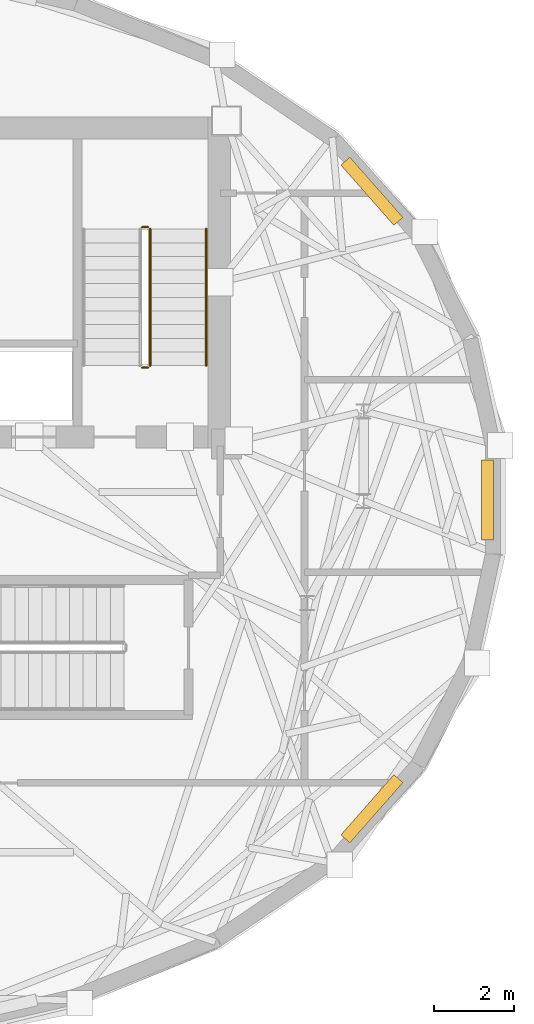
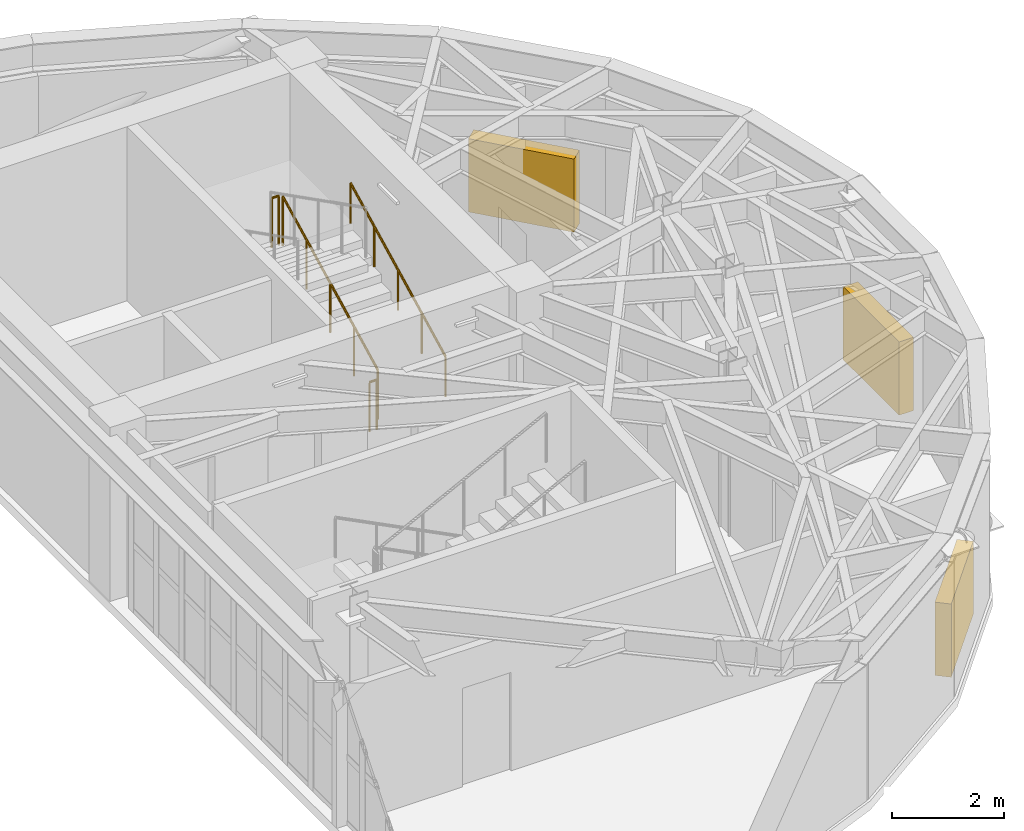
# One storey, part 13 of 13: 4 railings, 3 shading devices.
"""IFC4 building model written with IfcOpenShell, lengths in metres."""

from ifc_helpers import new_model, si_unit, direction, frame, origin, origin_2d, place, context, subcontext, project, spatial, rectangle, circle, extrude, material, type_object, element, save


model = new_model("IFC4")

# Units and contexts
model_context = context("Model", 3, precision=1e-05, world=origin(), true_north=direction((0.0, 1.0)))
body_context = subcontext(model_context, "Body", "Model", "MODEL_VIEW")
ifc_project = project(units=[si_unit("LENGTHUNIT", "METRE"), si_unit("AREAUNIT", "SQUARE_METRE"), si_unit("VOLUMEUNIT", "CUBIC_METRE"), si_unit("PLANEANGLEUNIT", "RADIAN"), si_unit("MASSUNIT", "GRAM", prefix="KILO")], contexts=[model_context])

# Site, building, storey
site_placement = place(None, origin())
site = spatial("IfcSite", under=ifc_project, at=site_placement, CompositionType="ELEMENT")
building_placement = place(site_placement, origin())
building = spatial("IfcBuilding", under=site, at=building_placement, Name="Keldmark Tower", CompositionType="ELEMENT")
storey_placement = place(building_placement, frame((0.0, 0.0, 276.800048828125)))
storey = spatial("IfcBuildingStorey", under=building, at=storey_placement, Name="L78", CompositionType="ELEMENT", Elevation=276.800048828125)

# Shading devices
ifc_material_1 = material(Name="Fluoropolymer-Coated Extruded Aluminum Stormproof Blades", Category="aluminium")
shading_device_type = type_object("IfcShadingDeviceType", Name="Mechanical Floor Acoustic Intake Louvre", PredefinedType="JALOUSIE", material=ifc_material_1)
for number, where, z_axis, x_axis, name in (
    (1, (17.22900390625, 7.69580078125, 0.0), (0.0, 0.0, 1.0), (-0.660958310395, 0.750422622206, 0.0), "L78 Crown Screen Acoustic Louvre E04"),
    (2, (20.10888671875, 0.0, 0.0), (0.0, 0.0, 1.0), (0.0, 1.0, 0.0), "L78 Crown Screen Acoustic Louvre E07"),
    (3, (17.22900390625, -7.69580078125, 0.0), (0.0, 0.0, 1.0), (0.660958310395, 0.750422622206, 0.0), "L78 Crown Screen Acoustic Louvre E10"),
):
    element("IfcShadingDevice", number, at=place(storey_placement, frame(where, z_axis=z_axis, x_axis=x_axis)), inside=storey, type_object=shading_device_type, Name=name, PredefinedType="JALOUSIE", context=body_context, shape_type="SweptSolid", body=[
        extrude(rectangle(XDim=2.0, YDim=0.300048828125, at=origin_2d()), origin(), (0.0, 0.0, 1.0), 1.60009765625),
    ])

# Railings
ifc_material_2 = material(Name="Painted Steel ASTM A500 Grade B", Category="steel")
railing_type_1 = type_object("IfcRailingType", Name="Painted Steel Stair Well Guard 1100 mm", PredefinedType="GUARDRAIL", material=ifc_material_2)
railing_1_placement = place(storey_placement, frame((11.699951171875, 3.35009765625, 0.172607421875)))
element("IfcRailing", 4, at=railing_1_placement, inside=storey, type_object=railing_type_1, Name="L78 ST2 stair guard 1", PredefinedType="GUARDRAIL", context=body_context, shape_type="SweptSolid", body=[
    extrude(circle(Radius=0.02392578125, at=origin_2d()), frame((0.0, 0.0, 1.076171875), z_axis=(0.0, 0.89154070688, 0.452940578858), x_axis=(-1.0, 0.0, 0.0)), (0.0, 0.0, 1.0), 3.8134765625),
    extrude(circle(Radius=0.02099609375, at=origin_2d()), origin(), (0.0, 0.0, 1.0), 1.052001953125),
    extrude(circle(Radius=0.02099609375, at=origin_2d()), frame((0.0, 0.85009765625, 0.431884765625)), (0.0, 0.0, 1.0), 1.052001953125),
    extrude(circle(Radius=0.02099609375, at=origin_2d()), frame((0.0, 1.699951171875, 0.86376953125)), (0.0, 0.0, 1.0), 1.052001953125),
    extrude(circle(Radius=0.02099609375, at=origin_2d()), frame((0.0, 2.5498046875, 1.29541015625)), (0.0, 0.0, 1.0), 1.052001953125),
    extrude(circle(Radius=0.02099609375, at=origin_2d()), frame((0.0, 3.39990234375, 1.727294921875)), (0.0, 0.0, 1.0), 1.052001953125),
])
for number, where, name in (
    (5, (11.64990234375, 6.800048828125, 1.89990234375), "L78 ST2 stair guard 2"),
    (6, (11.64990234375, 3.300048828125, 0.0), "L78 ST2 stair guard 4"),
):
    element("IfcRailing", number, at=place(storey_placement, frame(where)), inside=storey, type_object=railing_type_1, Name=name, PredefinedType="GUARDRAIL", context=body_context, shape_type="SweptSolid", body=[
        extrude(circle(Radius=0.02392578125, at=origin_2d()), frame((0.0, 0.0, 1.076171875), z_axis=(-1.0, 0.0, 0.0), x_axis=(0.0, -1.0, 0.0)), (0.0, 0.0, 1.0), 0.14990234375),
        extrude(circle(Radius=0.02099609375, at=origin_2d()), origin(), (0.0, 0.0, 1.0), 1.052001953125),
        extrude(circle(Radius=0.02099609375, at=origin_2d()), frame((-0.14990234375, 0.0, 0.0)), (0.0, 0.0, 1.0), 1.052001953125),
    ])
ifc_material_3 = material(Name="Stainless Steel AISI 316L", Category="steel")
railing_type_2 = type_object("IfcRailingType", Name="Stainless Steel Stair Handrail 900 mm", PredefinedType="HANDRAIL", material=ifc_material_3)
railing_2_placement = place(storey_placement, frame((13.10009765625, 3.35009765625, 0.172607421875)))
element("IfcRailing", 7, at=railing_2_placement, inside=storey, type_object=railing_type_2, Name="L78 ST2 stair handrail 1", PredefinedType="HANDRAIL", context=body_context, shape_type="SweptSolid", body=[
    extrude(circle(Radius=0.02392578125, at=origin_2d()), frame((0.0, 0.0, 0.8759765625), z_axis=(0.0, 0.89154070688, 0.452940578858), x_axis=(-1.0, 0.0, 0.0)), (0.0, 0.0, 1.0), 3.8134765625),
    extrude(circle(Radius=0.02099609375, at=origin_2d()), origin(), (0.0, 0.0, 1.0), 0.851806640625),
    extrude(circle(Radius=0.02099609375, at=origin_2d()), frame((0.0, 0.85009765625, 0.431884765625)), (0.0, 0.0, 1.0), 0.851806640625),
    extrude(circle(Radius=0.02099609375, at=origin_2d()), frame((0.0, 1.699951171875, 0.86376953125)), (0.0, 0.0, 1.0), 0.851806640625),
    extrude(circle(Radius=0.02099609375, at=origin_2d()), frame((0.0, 2.5498046875, 1.29541015625)), (0.0, 0.0, 1.0), 0.851806640625),
    extrude(circle(Radius=0.02099609375, at=origin_2d()), frame((0.0, 3.39990234375, 1.727294921875)), (0.0, 0.0, 1.0), 0.851806640625),
])

save(model, "model.ifc")
